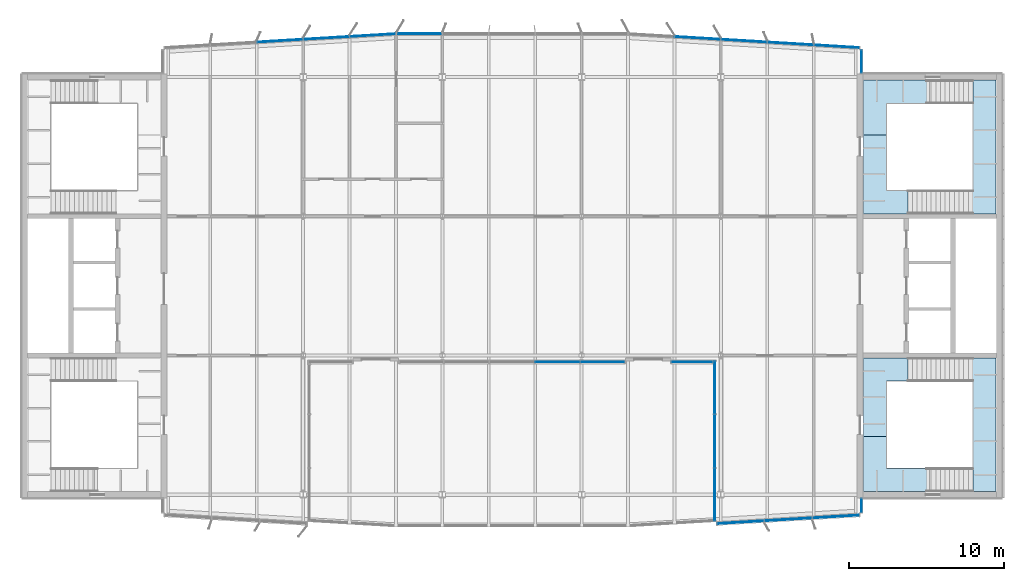
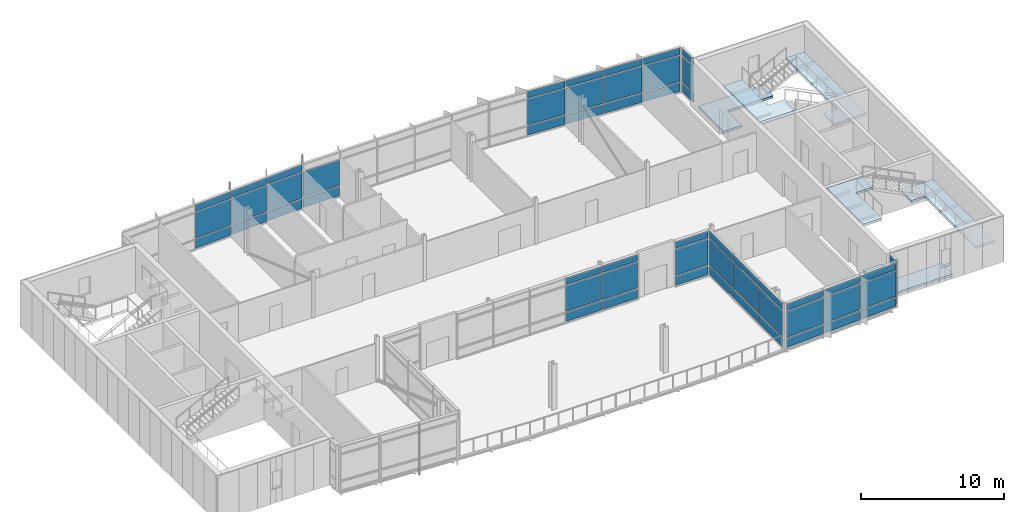
# One storey, part 11 of 19: 56 plates, 6 slabs, 11 elements without a shape of their own.
"""IFC4 building model written with IfcOpenShell, lengths in metres."""

from ifc_helpers import new_model, si_unit, direction, frame, origin, origin_2d, place, context, subcontext, project, spatial, polyline, rectangle, outline, extrude, material, layer, layer_set, type_object, element, aggregate, save


model = new_model("IFC4")

# Units and contexts
model_context = context("Model", 3, precision=1e-05, world=origin(), true_north=direction((0.0, 1.0)))
body_context = subcontext(model_context, "Body", "Model", "MODEL_VIEW")
ifc_project = project(units=[si_unit("LENGTHUNIT", "METRE"), si_unit("AREAUNIT", "SQUARE_METRE"), si_unit("VOLUMEUNIT", "CUBIC_METRE"), si_unit("PLANEANGLEUNIT", "RADIAN"), si_unit("MASSUNIT", "GRAM", prefix="KILO")], contexts=[model_context])

# Site, building, storey
site_placement = place(None, origin())
site = spatial("IfcSite", under=ifc_project, at=site_placement, CompositionType="ELEMENT")
building_placement = place(site_placement, origin())
building = spatial("IfcBuilding", under=site, at=building_placement, Name="Azimuth Sports and Learning Centre", CompositionType="ELEMENT")
storey_placement = place(building_placement, frame((0.0, 0.0, 67.5)))
storey = spatial("IfcBuildingStorey", under=building, at=storey_placement, Name="L15", CompositionType="ELEMENT", Elevation=67.5)

# Stair, slabs
ifc_material_1 = material(Name="Concrete C32/40", Category="concrete")
stair_type = type_object("IfcStairType", Name="Square-well stair core 3900 storey", PredefinedType="THREE_QUARTER_TURN_STAIR", material=ifc_material_1)
stair_1_placement = place(storey_placement, origin())
stair_1 = element("IfcStair", 1, at=stair_1_placement, inside=storey, type_object=stair_type, Name="Stair E1 L15-L16", PredefinedType="THREE_QUARTER_TURN_STAIR")
ifc_material_2 = material(Name="Concrete C32/40", Category="concrete")
ifc_layer_1 = layer(ifc_material_2, 0.199951171875)
ifc_layer_set_1 = layer_set([ifc_layer_1], Name="Concrete C32/40")
slab_type = type_object("IfcSlabType", Name="Concrete stair landing", PredefinedType="LANDING", material=ifc_layer_set_1)
slab_1_placement = place(storey_placement, frame((0.0, 0.0, -0.199951171875)))
slab_1 = element("IfcSlab", 2, at=slab_1_placement, type_object=slab_type, Name="Stair E1 L15 landing 1", PredefinedType="LANDING", context=body_context, shape_type="SweptSolid", body=[
    extrude(outline(polyline([(113.389892578125, 91.7099609375), (109.7099609375, 91.7099609375), (109.7099609375, 93.75), (108.2099609375, 93.75), (108.2099609375, 90.2099609375), (113.389892578125, 90.2099609375), (113.389892578125, 91.7099609375)])), origin(), (0.0, 0.0, 1.0), 0.199951171875),
])
slab_2_placement = place(storey_placement, frame((0.0, 0.0, 1.449951171875)))
slab_2 = element("IfcSlab", 3, at=slab_2_placement, type_object=slab_type, Name="Stair E1 L15 landing 2", PredefinedType="LANDING", context=body_context, shape_type="SweptSolid", body=[
    extrude(outline(polyline([(115.2900390625, 91.7099609375), (115.289306640625, 91.7099609375), (115.289306640625, 90.2099609375), (116.7900390625, 90.2099609375), (116.7900390625, 98.840087890625), (114.18994140625, 98.840087890625), (114.18994140625, 97.340087890625), (115.2900390625, 97.340087890625), (115.2900390625, 91.7099609375)])), origin(), (0.0, 0.0, 1.0), 0.199951171875),
])
slab_3_placement = place(storey_placement, frame((0.0, 0.0, 3.699951171875)))
slab_3 = element("IfcSlab", 4, at=slab_3_placement, type_object=slab_type, Name="Stair E1 L15 landing 3", PredefinedType="LANDING", context=body_context, shape_type="SweptSolid", body=[
    extrude(outline(polyline([(109.7099609375, 97.340087890625), (111.0908203125, 97.340087890625), (111.0908203125, 98.840087890625), (108.2099609375, 98.840087890625), (108.2099609375, 93.75), (109.7099609375, 93.75), (109.7099609375, 97.340087890625)])), origin(), (0.0, 0.0, 1.0), 0.199951171875),
])
aggregate(stair_1, [slab_1, slab_2, slab_3])

stair_2_placement = place(storey_placement, origin())
stair_2 = element("IfcStair", 5, at=stair_2_placement, inside=storey, type_object=stair_type, Name="Stair E2 L15-L16", PredefinedType="THREE_QUARTER_TURN_STAIR")
slab_4_placement = place(storey_placement, frame((0.0, 0.0, -0.199951171875)))
slab_4 = element("IfcSlab", 6, at=slab_4_placement, type_object=slab_type, Name="Stair E2 L15 landing 1", PredefinedType="LANDING", context=body_context, shape_type="SweptSolid", body=[
    extrude(outline(polyline([(108.2099609375, 116.7900390625), (108.2099609375, 113.25), (109.7099609375, 113.25), (109.7099609375, 115.2900390625), (113.389892578125, 115.2900390625), (113.389892578125, 116.7900390625), (108.2099609375, 116.7900390625)])), origin(), (0.0, 0.0, 1.0), 0.199951171875),
])
slab_5_placement = place(storey_placement, frame((0.0, 0.0, 1.449951171875)))
slab_5 = element("IfcSlab", 7, at=slab_5_placement, type_object=slab_type, Name="Stair E2 L15 landing 2", PredefinedType="LANDING", context=body_context, shape_type="SweptSolid", body=[
    extrude(outline(polyline([(115.2900390625, 115.2900390625), (115.2900390625, 109.659912109375), (114.18994140625, 109.659912109375), (114.18994140625, 108.159912109375), (116.7900390625, 108.159912109375), (116.7900390625, 116.7900390625), (115.289306640625, 116.7900390625), (115.289306640625, 115.2900390625), (115.2900390625, 115.2900390625)])), origin(), (0.0, 0.0, 1.0), 0.199951171875),
])
slab_6_placement = place(storey_placement, frame((0.0, 0.0, 3.699951171875)))
slab_6 = element("IfcSlab", 8, at=slab_6_placement, type_object=slab_type, Name="Stair E2 L15 landing 3", PredefinedType="LANDING", context=body_context, shape_type="SweptSolid", body=[
    extrude(outline(polyline([(109.7099609375, 109.659912109375), (109.7099609375, 113.25), (108.2099609375, 113.25), (108.2099609375, 108.159912109375), (111.0908203125, 108.159912109375), (111.0908203125, 109.659912109375), (109.7099609375, 109.659912109375)])), origin(), (0.0, 0.0, 1.0), 0.199951171875),
])
aggregate(stair_2, [slab_4, slab_5, slab_6])

# Curtain wall, plates
ifc_material_3 = material(Name="Aluminium and glass", Category="aluminium")
curtain_wall_type_1 = type_object("IfcCurtainWallType", Name="Curtain wall tower south 240", PredefinedType="NOTDEFINED", material=ifc_material_3)
curtain_wall_1_placement = place(storey_placement, origin())
curtain_wall_1 = element("IfcCurtainWall", 9, at=curtain_wall_1_placement, inside=storey, type_object=curtain_wall_type_1, Name="Curtain wall CW15-005", PredefinedType="NOTDEFINED")
ifc_material_4 = material(Name="Insulated aluminium panel", Category="aluminium")
ifc_layer_2 = layer(ifc_material_4, 0.050048828125)
ifc_layer_set_2 = layer_set([ifc_layer_2], Name="Insulated aluminium panel")
plate_type_1 = type_object("IfcPlateType", Name="Spandrel panel 50 mm", PredefinedType="CURTAIN_PANEL", material=ifc_layer_set_2)
plate_1_placement = place(storey_placement, frame((88.433349609375, 98.580078125, 0.10009765625), z_axis=(0.0, 0.0, 1.0), x_axis=(1.0, 0.0, 0.0)))
plate_1 = element("IfcPlate", 10, at=plate_1_placement, type_object=plate_type_1, Name="CW15-005 panel 4.1", PredefinedType="CURTAIN_PANEL", context=body_context, shape_type="SweptSolid", body=[
    extrude(rectangle(XDim=2.86328125, YDim=0.050048828125, at=origin_2d()), origin(), (0.0, 0.0, 1.0), 0.75),
])
plate_2_placement = place(storey_placement, frame((88.433349609375, 98.580078125, 3.25), z_axis=(0.0, 0.0, 1.0), x_axis=(1.0, 0.0, 0.0)))
plate_2 = element("IfcPlate", 11, at=plate_2_placement, type_object=plate_type_1, Name="CW15-005 panel 4.3", PredefinedType="CURTAIN_PANEL", context=body_context, shape_type="SweptSolid", body=[
    extrude(rectangle(XDim=2.86328125, YDim=0.050048828125, at=origin_2d()), origin(), (0.0, 0.0, 1.0), 0.550048828125),
])
plate_3_placement = place(storey_placement, frame((91.34912109375, 98.580078125, 0.10009765625), z_axis=(0.0, 0.0, 1.0), x_axis=(1.0, 0.0, 0.0)))
plate_3 = element("IfcPlate", 12, at=plate_3_placement, type_object=plate_type_1, Name="CW15-005 panel 5.1", PredefinedType="CURTAIN_PANEL", context=body_context, shape_type="SweptSolid", body=[
    extrude(rectangle(XDim=2.828369140625, YDim=0.050048828125, at=origin_2d()), origin(), (0.0, 0.0, 1.0), 0.75),
])
plate_4_placement = place(storey_placement, frame((91.34912109375, 98.580078125, 3.25), z_axis=(0.0, 0.0, 1.0), x_axis=(1.0, 0.0, 0.0)))
plate_4 = element("IfcPlate", 13, at=plate_4_placement, type_object=plate_type_1, Name="CW15-005 panel 5.3", PredefinedType="CURTAIN_PANEL", context=body_context, shape_type="SweptSolid", body=[
    extrude(rectangle(XDim=2.828369140625, YDim=0.050048828125, at=origin_2d()), origin(), (0.0, 0.0, 1.0), 0.550048828125),
])

curtain_wall_2_placement = place(storey_placement, origin())
curtain_wall_2 = element("IfcCurtainWall", 14, at=curtain_wall_2_placement, inside=storey, type_object=curtain_wall_type_1, Name="Curtain wall CW15-006", PredefinedType="NOTDEFINED")
plate_5_placement = place(storey_placement, frame((97.143310546875, 98.580078125, 0.10009765625), z_axis=(0.0, 0.0, 1.0), x_axis=(1.0, 0.0, 0.0)))
plate_5 = element("IfcPlate", 15, at=plate_5_placement, type_object=plate_type_1, Name="CW15-006 panel 1.1", PredefinedType="CURTAIN_PANEL", context=body_context, shape_type="SweptSolid", body=[
    extrude(rectangle(XDim=2.61328125, YDim=0.050048828125, at=origin_2d()), origin(), (0.0, 0.0, 1.0), 0.75),
])
plate_6_placement = place(storey_placement, frame((97.143310546875, 98.580078125, 3.25), z_axis=(0.0, 0.0, 1.0), x_axis=(1.0, 0.0, 0.0)))
plate_6 = element("IfcPlate", 16, at=plate_6_placement, type_object=plate_type_1, Name="CW15-006 panel 1.3", PredefinedType="CURTAIN_PANEL", context=body_context, shape_type="SweptSolid", body=[
    extrude(rectangle(XDim=2.61328125, YDim=0.050048828125, at=origin_2d()), origin(), (0.0, 0.0, 1.0), 0.550048828125),
])

ifc_material_5 = material(Name="Aluminium and glass", Category="aluminium")
curtain_wall_type_2 = type_object("IfcCurtainWallType", Name="Curtain wall tower return 180", PredefinedType="NOTDEFINED", material=ifc_material_5)
curtain_wall_3_placement = place(storey_placement, origin())
curtain_wall_3 = element("IfcCurtainWall", 17, at=curtain_wall_3_placement, inside=storey, type_object=curtain_wall_type_2, Name="Curtain wall CW15-007", PredefinedType="NOTDEFINED")
plate_7_placement = place(storey_placement, frame((98.610107421875, 96.94189453125, 0.10009765625), z_axis=(0.0, 0.0, 1.0), x_axis=(0.0, -1.0, 0.0)))
plate_7 = element("IfcPlate", 18, at=plate_7_placement, type_object=plate_type_1, Name="CW15-007 panel 1.1", PredefinedType="CURTAIN_PANEL", context=body_context, shape_type="SweptSolid", body=[
    extrude(rectangle(XDim=3.39599609375, YDim=0.050048828125, at=origin_2d()), origin(), (0.0, 0.0, 1.0), 0.75),
])
plate_8_placement = place(storey_placement, frame((98.610107421875, 96.94189453125, 0.9501953125), z_axis=(0.0, 0.0, 1.0), x_axis=(0.0, -1.0, 0.0)))
plate_8 = element("IfcPlate", 19, at=plate_8_placement, type_object=plate_type_1, Name="CW15-007 panel 1.2", PredefinedType="CURTAIN_PANEL", context=body_context, shape_type="SweptSolid", body=[
    extrude(rectangle(XDim=3.39599609375, YDim=0.050048828125, at=origin_2d()), origin(), (0.0, 0.0, 1.0), 2.199951171875),
])
plate_9_placement = place(storey_placement, frame((98.610107421875, 96.94189453125, 3.25), z_axis=(0.0, 0.0, 1.0), x_axis=(0.0, -1.0, 0.0)))
plate_9 = element("IfcPlate", 20, at=plate_9_placement, type_object=plate_type_1, Name="CW15-007 panel 1.3", PredefinedType="CURTAIN_PANEL", context=body_context, shape_type="SweptSolid", body=[
    extrude(rectangle(XDim=3.39599609375, YDim=0.050048828125, at=origin_2d()), origin(), (0.0, 0.0, 1.0), 0.550048828125),
])
plate_10_placement = place(storey_placement, frame((98.610107421875, 93.470947265625, 0.10009765625), z_axis=(0.0, 0.0, 1.0), x_axis=(0.0, -1.0, 0.0)))
plate_10 = element("IfcPlate", 21, at=plate_10_placement, type_object=plate_type_1, Name="CW15-007 panel 2.1", PredefinedType="CURTAIN_PANEL", context=body_context, shape_type="SweptSolid", body=[
    extrude(rectangle(XDim=3.426025390625, YDim=0.050048828125, at=origin_2d()), origin(), (0.0, 0.0, 1.0), 0.75),
])
plate_11_placement = place(storey_placement, frame((98.610107421875, 93.470947265625, 0.9501953125), z_axis=(0.0, 0.0, 1.0), x_axis=(0.0, -1.0, 0.0)))
plate_11 = element("IfcPlate", 22, at=plate_11_placement, type_object=plate_type_1, Name="CW15-007 panel 2.2", PredefinedType="CURTAIN_PANEL", context=body_context, shape_type="SweptSolid", body=[
    extrude(rectangle(XDim=3.426025390625, YDim=0.050048828125, at=origin_2d()), origin(), (0.0, 0.0, 1.0), 2.199951171875),
])
plate_12_placement = place(storey_placement, frame((98.610107421875, 93.470947265625, 3.25), z_axis=(0.0, 0.0, 1.0), x_axis=(0.0, -1.0, 0.0)))
plate_12 = element("IfcPlate", 23, at=plate_12_placement, type_object=plate_type_1, Name="CW15-007 panel 2.3", PredefinedType="CURTAIN_PANEL", context=body_context, shape_type="SweptSolid", body=[
    extrude(rectangle(XDim=3.426025390625, YDim=0.050048828125, at=origin_2d()), origin(), (0.0, 0.0, 1.0), 0.550048828125),
])
plate_13_placement = place(storey_placement, frame((98.610107421875, 90.0, 0.10009765625), z_axis=(0.0, 0.0, 1.0), x_axis=(0.0, -1.0, 0.0)))
plate_13 = element("IfcPlate", 24, at=plate_13_placement, type_object=plate_type_1, Name="CW15-007 panel 3.1", PredefinedType="CURTAIN_PANEL", context=body_context, shape_type="SweptSolid", body=[
    extrude(rectangle(XDim=3.39599609375, YDim=0.050048828125, at=origin_2d()), origin(), (0.0, 0.0, 1.0), 0.75),
])
plate_14_placement = place(storey_placement, frame((98.610107421875, 90.0, 0.9501953125), z_axis=(0.0, 0.0, 1.0), x_axis=(0.0, -1.0, 0.0)))
plate_14 = element("IfcPlate", 25, at=plate_14_placement, type_object=plate_type_1, Name="CW15-007 panel 3.2", PredefinedType="CURTAIN_PANEL", context=body_context, shape_type="SweptSolid", body=[
    extrude(rectangle(XDim=3.39599609375, YDim=0.050048828125, at=origin_2d()), origin(), (0.0, 0.0, 1.0), 2.199951171875),
])
plate_15_placement = place(storey_placement, frame((98.610107421875, 90.0, 3.25), z_axis=(0.0, 0.0, 1.0), x_axis=(0.0, -1.0, 0.0)))
plate_15 = element("IfcPlate", 26, at=plate_15_placement, type_object=plate_type_1, Name="CW15-007 panel 3.3", PredefinedType="CURTAIN_PANEL", context=body_context, shape_type="SweptSolid", body=[
    extrude(rectangle(XDim=3.39599609375, YDim=0.050048828125, at=origin_2d()), origin(), (0.0, 0.0, 1.0), 0.550048828125),
])
aggregate(curtain_wall_3, [plate_7, plate_8, plate_9, plate_10, plate_11, plate_12, plate_13, plate_14, plate_15])

curtain_wall_4_placement = place(storey_placement, origin())
curtain_wall_4 = element("IfcCurtainWall", 27, at=curtain_wall_4_placement, inside=storey, type_object=curtain_wall_type_1, Name="Curtain wall CW15-008", PredefinedType="NOTDEFINED")
plate_16_placement = place(storey_placement, frame((100.274658203125, 88.21630859375, 0.10009765625), z_axis=(0.0, 0.0, 1.0), x_axis=(0.998204863401, 0.059891991812, 0.0)))
plate_16 = element("IfcPlate", 28, at=plate_16_placement, type_object=plate_type_1, Name="CW15-008 panel 1.1", PredefinedType="CURTAIN_PANEL", context=body_context, shape_type="SweptSolid", body=[
    extrude(rectangle(XDim=3.00048828125, YDim=0.050048828125, at=origin_2d()), origin(), (0.0, 0.0, 1.0), 0.75),
])
plate_17_placement = place(storey_placement, frame((100.274658203125, 88.21630859375, 3.25), z_axis=(0.0, 0.0, 1.0), x_axis=(0.998204863401, 0.059891991812, 0.0)))
plate_17 = element("IfcPlate", 29, at=plate_17_placement, type_object=plate_type_1, Name="CW15-008 panel 1.3", PredefinedType="CURTAIN_PANEL", context=body_context, shape_type="SweptSolid", body=[
    extrude(rectangle(XDim=3.00048828125, YDim=0.050048828125, at=origin_2d()), origin(), (0.0, 0.0, 1.0), 0.550048828125),
])
plate_18_placement = place(storey_placement, frame((103.357177734375, 88.401123046875, 0.10009765625), z_axis=(0.0, 0.0, 1.0), x_axis=(0.998204863401, 0.059891991812, 0.0)))
plate_18 = element("IfcPlate", 30, at=plate_18_placement, type_object=plate_type_1, Name="CW15-008 panel 2.1", PredefinedType="CURTAIN_PANEL", context=body_context, shape_type="SweptSolid", body=[
    extrude(rectangle(XDim=3.03564453125, YDim=0.050048828125, at=origin_2d()), origin(), (0.0, 0.0, 1.0), 0.75),
])
plate_19_placement = place(storey_placement, frame((103.357177734375, 88.401123046875, 3.25), z_axis=(0.0, 0.0, 1.0), x_axis=(0.998204863401, 0.059891991812, 0.0)))
plate_19 = element("IfcPlate", 31, at=plate_19_placement, type_object=plate_type_1, Name="CW15-008 panel 2.3", PredefinedType="CURTAIN_PANEL", context=body_context, shape_type="SweptSolid", body=[
    extrude(rectangle(XDim=3.03564453125, YDim=0.050048828125, at=origin_2d()), origin(), (0.0, 0.0, 1.0), 0.550048828125),
])
plate_20_placement = place(storey_placement, frame((106.439697265625, 88.586181640625, 0.10009765625), z_axis=(0.0, 0.0, 1.0), x_axis=(0.998204863401, 0.059891991812, 0.0)))
plate_20 = element("IfcPlate", 32, at=plate_20_placement, type_object=plate_type_1, Name="CW15-008 panel 3.1", PredefinedType="CURTAIN_PANEL", context=body_context, shape_type="SweptSolid", body=[
    extrude(rectangle(XDim=3.00048828125, YDim=0.050048828125, at=origin_2d()), origin(), (0.0, 0.0, 1.0), 0.75),
])
plate_21_placement = place(storey_placement, frame((106.439697265625, 88.586181640625, 3.25), z_axis=(0.0, 0.0, 1.0), x_axis=(0.998204863401, 0.059891991812, 0.0)))
plate_21 = element("IfcPlate", 33, at=plate_21_placement, type_object=plate_type_1, Name="CW15-008 panel 3.3", PredefinedType="CURTAIN_PANEL", context=body_context, shape_type="SweptSolid", body=[
    extrude(rectangle(XDim=3.00048828125, YDim=0.050048828125, at=origin_2d()), origin(), (0.0, 0.0, 1.0), 0.550048828125),
])

curtain_wall_5_placement = place(storey_placement, origin())
curtain_wall_5 = element("IfcCurtainWall", 34, at=curtain_wall_5_placement, inside=storey, type_object=curtain_wall_type_2, Name="Curtain wall CW15-009", PredefinedType="NOTDEFINED")
plate_22_placement = place(storey_placement, frame((108.090087890625, 89.300048828125, 0.10009765625), z_axis=(0.0, 0.0, 1.0), x_axis=(0.0, 1.0, 0.0)))
plate_22 = element("IfcPlate", 35, at=plate_22_placement, type_object=plate_type_1, Name="CW15-009 panel 1.1", PredefinedType="CURTAIN_PANEL", context=body_context, shape_type="SweptSolid", body=[
    extrude(rectangle(XDim=0.8798828125, YDim=0.050048828125, at=origin_2d()), origin(), (0.0, 0.0, 1.0), 0.75),
])
plate_23_placement = place(storey_placement, frame((108.090087890625, 89.300048828125, 3.25), z_axis=(0.0, 0.0, 1.0), x_axis=(0.0, 1.0, 0.0)))
plate_23 = element("IfcPlate", 36, at=plate_23_placement, type_object=plate_type_1, Name="CW15-009 panel 1.3", PredefinedType="CURTAIN_PANEL", context=body_context, shape_type="SweptSolid", body=[
    extrude(rectangle(XDim=0.8798828125, YDim=0.050048828125, at=origin_2d()), origin(), (0.0, 0.0, 1.0), 0.550048828125),
])

curtain_wall_6_placement = place(storey_placement, origin())
curtain_wall_6 = element("IfcCurtainWall", 37, at=curtain_wall_6_placement, inside=storey, type_object=curtain_wall_type_2, Name="Curtain wall CW15-010", PredefinedType="NOTDEFINED")
plate_24_placement = place(storey_placement, frame((108.090087890625, 118.0, 0.10009765625), z_axis=(0.0, 0.0, 1.0), x_axis=(0.0, 1.0, 0.0)))
plate_24 = element("IfcPlate", 38, at=plate_24_placement, type_object=plate_type_1, Name="CW15-010 panel 1.1", PredefinedType="CURTAIN_PANEL", context=body_context, shape_type="SweptSolid", body=[
    extrude(rectangle(XDim=1.47998046875, YDim=0.050048828125, at=origin_2d()), origin(), (0.0, 0.0, 1.0), 0.75),
])
plate_25_placement = place(storey_placement, frame((108.090087890625, 118.0, 3.25), z_axis=(0.0, 0.0, 1.0), x_axis=(0.0, 1.0, 0.0)))
plate_25 = element("IfcPlate", 39, at=plate_25_placement, type_object=plate_type_1, Name="CW15-010 panel 1.3", PredefinedType="CURTAIN_PANEL", context=body_context, shape_type="SweptSolid", body=[
    extrude(rectangle(XDim=1.47998046875, YDim=0.050048828125, at=origin_2d()), origin(), (0.0, 0.0, 1.0), 0.550048828125),
])

ifc_material_6 = material(Name="Aluminium and glass", Category="aluminium")
curtain_wall_type_3 = type_object("IfcCurtainWallType", Name="Curtain wall tower north 180", PredefinedType="NOTDEFINED", material=ifc_material_6)
curtain_wall_7_placement = place(storey_placement, origin())
curtain_wall_7 = element("IfcCurtainWall", 40, at=curtain_wall_7_placement, inside=storey, type_object=curtain_wall_type_3, Name="Curtain wall CW15-011", PredefinedType="NOTDEFINED")
plate_26_placement = place(storey_placement, frame((106.490478515625, 118.980712890625, 0.10009765625), z_axis=(0.0, 0.0, 1.0), x_axis=(-0.998204863401, 0.059891991812, 0.0)))
plate_26 = element("IfcPlate", 41, at=plate_26_placement, type_object=plate_type_1, Name="CW15-011 panel 1.1", PredefinedType="CURTAIN_PANEL", context=body_context, shape_type="SweptSolid", body=[
    extrude(rectangle(XDim=2.915283203125, YDim=0.050048828125, at=origin_2d()), origin(), (0.0, 0.0, 1.0), 0.75),
])
plate_27_placement = place(storey_placement, frame((106.490478515625, 118.980712890625, 3.25), z_axis=(0.0, 0.0, 1.0), x_axis=(-0.998204863401, 0.059891991812, 0.0)))
plate_27 = element("IfcPlate", 42, at=plate_27_placement, type_object=plate_type_1, Name="CW15-011 panel 1.3", PredefinedType="CURTAIN_PANEL", context=body_context, shape_type="SweptSolid", body=[
    extrude(rectangle(XDim=2.915283203125, YDim=0.050048828125, at=origin_2d()), origin(), (0.0, 0.0, 1.0), 0.550048828125),
])
plate_28_placement = place(storey_placement, frame((103.50537109375, 119.159912109375, 0.10009765625), z_axis=(0.0, 0.0, 1.0), x_axis=(-0.998204863401, 0.059891991812, 0.0)))
plate_28 = element("IfcPlate", 43, at=plate_28_placement, type_object=plate_type_1, Name="CW15-011 panel 2.1", PredefinedType="CURTAIN_PANEL", context=body_context, shape_type="SweptSolid", body=[
    extrude(rectangle(XDim=2.9453125, YDim=0.050048828125, at=origin_2d()), origin(), (0.0, 0.0, 1.0), 0.75),
])
plate_29_placement = place(storey_placement, frame((103.50537109375, 119.159912109375, 3.25), z_axis=(0.0, 0.0, 1.0), x_axis=(-0.998204863401, 0.059891991812, 0.0)))
plate_29 = element("IfcPlate", 44, at=plate_29_placement, type_object=plate_type_1, Name="CW15-011 panel 2.3", PredefinedType="CURTAIN_PANEL", context=body_context, shape_type="SweptSolid", body=[
    extrude(rectangle(XDim=2.9453125, YDim=0.050048828125, at=origin_2d()), origin(), (0.0, 0.0, 1.0), 0.550048828125),
])
plate_30_placement = place(storey_placement, frame((100.50537109375, 119.33984375, 0.10009765625), z_axis=(0.0, 0.0, 1.0), x_axis=(-0.998204863401, 0.059891991812, 0.0)))
plate_30 = element("IfcPlate", 45, at=plate_30_placement, type_object=plate_type_1, Name="CW15-011 panel 3.1", PredefinedType="CURTAIN_PANEL", context=body_context, shape_type="SweptSolid", body=[
    extrude(rectangle(XDim=2.9453125, YDim=0.050048828125, at=origin_2d()), origin(), (0.0, 0.0, 1.0), 0.75),
])
plate_31_placement = place(storey_placement, frame((100.50537109375, 119.33984375, 3.25), z_axis=(0.0, 0.0, 1.0), x_axis=(-0.998204863401, 0.059891991812, 0.0)))
plate_31 = element("IfcPlate", 46, at=plate_31_placement, type_object=plate_type_1, Name="CW15-011 panel 3.3", PredefinedType="CURTAIN_PANEL", context=body_context, shape_type="SweptSolid", body=[
    extrude(rectangle(XDim=2.9453125, YDim=0.050048828125, at=origin_2d()), origin(), (0.0, 0.0, 1.0), 0.550048828125),
])
plate_32_placement = place(storey_placement, frame((97.50537109375, 119.519775390625, 0.10009765625), z_axis=(0.0, 0.0, 1.0), x_axis=(-0.998204863401, 0.059891991812, 0.0)))
plate_32 = element("IfcPlate", 47, at=plate_32_placement, type_object=plate_type_1, Name="CW15-011 panel 4.1", PredefinedType="CURTAIN_PANEL", context=body_context, shape_type="SweptSolid", body=[
    extrude(rectangle(XDim=2.9453125, YDim=0.050048828125, at=origin_2d()), origin(), (0.0, 0.0, 1.0), 0.75),
])
plate_33_placement = place(storey_placement, frame((97.50537109375, 119.519775390625, 3.25), z_axis=(0.0, 0.0, 1.0), x_axis=(-0.998204863401, 0.059891991812, 0.0)))
plate_33 = element("IfcPlate", 48, at=plate_33_placement, type_object=plate_type_1, Name="CW15-011 panel 4.3", PredefinedType="CURTAIN_PANEL", context=body_context, shape_type="SweptSolid", body=[
    extrude(rectangle(XDim=2.9453125, YDim=0.050048828125, at=origin_2d()), origin(), (0.0, 0.0, 1.0), 0.550048828125),
])

# Curtain wall, plate
curtain_wall_8_placement = place(storey_placement, origin())
curtain_wall_8 = element("IfcCurtainWall", 49, at=curtain_wall_8_placement, inside=storey, type_object=curtain_wall_type_3, Name="Curtain wall CW15-012", PredefinedType="NOTDEFINED")
plate_34_placement = place(storey_placement, frame((79.514892578125, 119.7900390625, 0.10009765625), z_axis=(0.0, 0.0, 1.0), x_axis=(-1.0, 0.0, 0.0)))
plate_34 = element("IfcPlate", 50, at=plate_34_placement, type_object=plate_type_1, Name="CW15-012 panel 5.1", PredefinedType="CURTAIN_PANEL", context=body_context, shape_type="SweptSolid", body=[
    extrude(rectangle(XDim=2.909912109375, YDim=0.050048828125, at=origin_2d()), origin(), (0.0, 0.0, 1.0), 0.75),
])

# Curtain wall, plates
curtain_wall_9_placement = place(storey_placement, origin())
curtain_wall_9 = element("IfcCurtainWall", 51, at=curtain_wall_9_placement, inside=storey, type_object=curtain_wall_type_3, Name="Curtain wall CW15-013", PredefinedType="NOTDEFINED")
plate_35_placement = place(storey_placement, frame((76.482421875, 119.69921875, 0.10009765625), z_axis=(0.0, 0.0, 1.0), x_axis=(-0.998204863401, -0.059891991812, 0.0)))
plate_35 = element("IfcPlate", 52, at=plate_35_placement, type_object=plate_type_1, Name="CW15-013 panel 1.1", PredefinedType="CURTAIN_PANEL", context=body_context, shape_type="SweptSolid", body=[
    extrude(rectangle(XDim=2.9208984375, YDim=0.050048828125, at=origin_2d()), origin(), (0.0, 0.0, 1.0), 0.75),
])
plate_36_placement = place(storey_placement, frame((76.482421875, 119.69921875, 3.25), z_axis=(0.0, 0.0, 1.0), x_axis=(-0.998204863401, -0.059891991812, 0.0)))
plate_36 = element("IfcPlate", 53, at=plate_36_placement, type_object=plate_type_1, Name="CW15-013 panel 1.3", PredefinedType="CURTAIN_PANEL", context=body_context, shape_type="SweptSolid", body=[
    extrude(rectangle(XDim=2.9208984375, YDim=0.050048828125, at=origin_2d()), origin(), (0.0, 0.0, 1.0), 0.550048828125),
])
plate_37_placement = place(storey_placement, frame((73.49462890625, 119.519775390625, 0.10009765625), z_axis=(0.0, 0.0, 1.0), x_axis=(-0.998204863401, -0.059891991812, 0.0)))
plate_37 = element("IfcPlate", 54, at=plate_37_placement, type_object=plate_type_1, Name="CW15-013 panel 2.1", PredefinedType="CURTAIN_PANEL", context=body_context, shape_type="SweptSolid", body=[
    extrude(rectangle(XDim=2.9453125, YDim=0.050048828125, at=origin_2d()), origin(), (0.0, 0.0, 1.0), 0.75),
])
plate_38_placement = place(storey_placement, frame((73.49462890625, 119.519775390625, 3.25), z_axis=(0.0, 0.0, 1.0), x_axis=(-0.998204863401, -0.059891991812, 0.0)))
plate_38 = element("IfcPlate", 55, at=plate_38_placement, type_object=plate_type_1, Name="CW15-013 panel 2.3", PredefinedType="CURTAIN_PANEL", context=body_context, shape_type="SweptSolid", body=[
    extrude(rectangle(XDim=2.9453125, YDim=0.050048828125, at=origin_2d()), origin(), (0.0, 0.0, 1.0), 0.550048828125),
])
plate_39_placement = place(storey_placement, frame((70.49462890625, 119.33984375, 0.10009765625), z_axis=(0.0, 0.0, 1.0), x_axis=(-0.998204863401, -0.059891991812, 0.0)))
plate_39 = element("IfcPlate", 56, at=plate_39_placement, type_object=plate_type_1, Name="CW15-013 panel 3.1", PredefinedType="CURTAIN_PANEL", context=body_context, shape_type="SweptSolid", body=[
    extrude(rectangle(XDim=2.9453125, YDim=0.050048828125, at=origin_2d()), origin(), (0.0, 0.0, 1.0), 0.75),
])
plate_40_placement = place(storey_placement, frame((70.49462890625, 119.33984375, 3.25), z_axis=(0.0, 0.0, 1.0), x_axis=(-0.998204863401, -0.059891991812, 0.0)))
plate_40 = element("IfcPlate", 57, at=plate_40_placement, type_object=plate_type_1, Name="CW15-013 panel 3.3", PredefinedType="CURTAIN_PANEL", context=body_context, shape_type="SweptSolid", body=[
    extrude(rectangle(XDim=2.9453125, YDim=0.050048828125, at=origin_2d()), origin(), (0.0, 0.0, 1.0), 0.550048828125),
])

# Plate
ifc_material_7 = material(Name="Glass", Category="glass")
ifc_layer_3 = layer(ifc_material_7, 0.031982421875)
ifc_layer_set_3 = layer_set([ifc_layer_3], Name="Glass")
plate_type_2 = type_object("IfcPlateType", Name="Vision glass 32 mm", PredefinedType="CURTAIN_PANEL", material=ifc_layer_set_3)
plate_41_placement = place(storey_placement, frame((88.433349609375, 98.580078125, 0.9501953125), z_axis=(0.0, 0.0, 1.0), x_axis=(1.0, 0.0, 0.0)))
plate_41 = element("IfcPlate", 58, at=plate_41_placement, type_object=plate_type_2, Name="CW15-005 panel 4.2", PredefinedType="CURTAIN_PANEL", context=body_context, shape_type="SweptSolid", body=[
    extrude(rectangle(XDim=2.86328125, YDim=0.031982421875, at=origin_2d()), origin(), (0.0, 0.0, 1.0), 2.199951171875),
])

plate_42_placement = place(storey_placement, frame((91.34912109375, 98.580078125, 0.9501953125), z_axis=(0.0, 0.0, 1.0), x_axis=(1.0, 0.0, 0.0)))
plate_42 = element("IfcPlate", 59, at=plate_42_placement, type_object=plate_type_2, Name="CW15-005 panel 5.2", PredefinedType="CURTAIN_PANEL", context=body_context, shape_type="SweptSolid", body=[
    extrude(rectangle(XDim=2.828369140625, YDim=0.031982421875, at=origin_2d()), origin(), (0.0, 0.0, 1.0), 2.199951171875),
])

aggregate(curtain_wall_1, [plate_1, plate_41, plate_2, plate_3, plate_42, plate_4])

plate_43_placement = place(storey_placement, frame((97.143310546875, 98.580078125, 0.9501953125), z_axis=(0.0, 0.0, 1.0), x_axis=(1.0, 0.0, 0.0)))
plate_43 = element("IfcPlate", 60, at=plate_43_placement, type_object=plate_type_2, Name="CW15-006 panel 1.2", PredefinedType="CURTAIN_PANEL", context=body_context, shape_type="SweptSolid", body=[
    extrude(rectangle(XDim=2.61328125, YDim=0.031982421875, at=origin_2d()), origin(), (0.0, 0.0, 1.0), 2.199951171875),
])

aggregate(curtain_wall_2, [plate_5, plate_43, plate_6])

plate_44_placement = place(storey_placement, frame((100.274658203125, 88.21630859375, 0.9501953125), z_axis=(0.0, 0.0, 1.0), x_axis=(0.998204863401, 0.059891991812, 0.0)))
plate_44 = element("IfcPlate", 61, at=plate_44_placement, type_object=plate_type_2, Name="CW15-008 panel 1.2", PredefinedType="CURTAIN_PANEL", context=body_context, shape_type="SweptSolid", body=[
    extrude(rectangle(XDim=3.00048828125, YDim=0.031982421875, at=origin_2d()), origin(), (0.0, 0.0, 1.0), 2.199951171875),
])

plate_45_placement = place(storey_placement, frame((103.357177734375, 88.401123046875, 0.9501953125), z_axis=(0.0, 0.0, 1.0), x_axis=(0.998204863401, 0.059891991812, 0.0)))
plate_45 = element("IfcPlate", 62, at=plate_45_placement, type_object=plate_type_2, Name="CW15-008 panel 2.2", PredefinedType="CURTAIN_PANEL", context=body_context, shape_type="SweptSolid", body=[
    extrude(rectangle(XDim=3.03564453125, YDim=0.031982421875, at=origin_2d()), origin(), (0.0, 0.0, 1.0), 2.199951171875),
])

plate_46_placement = place(storey_placement, frame((106.439697265625, 88.586181640625, 0.9501953125), z_axis=(0.0, 0.0, 1.0), x_axis=(0.998204863401, 0.059891991812, 0.0)))
plate_46 = element("IfcPlate", 63, at=plate_46_placement, type_object=plate_type_2, Name="CW15-008 panel 3.2", PredefinedType="CURTAIN_PANEL", context=body_context, shape_type="SweptSolid", body=[
    extrude(rectangle(XDim=3.00048828125, YDim=0.031982421875, at=origin_2d()), origin(), (0.0, 0.0, 1.0), 2.199951171875),
])

aggregate(curtain_wall_4, [plate_16, plate_44, plate_17, plate_18, plate_45, plate_19, plate_20, plate_46, plate_21])

plate_47_placement = place(storey_placement, frame((108.090087890625, 89.300048828125, 0.9501953125), z_axis=(0.0, 0.0, 1.0), x_axis=(0.0, 1.0, 0.0)))
plate_47 = element("IfcPlate", 64, at=plate_47_placement, type_object=plate_type_2, Name="CW15-009 panel 1.2", PredefinedType="CURTAIN_PANEL", context=body_context, shape_type="SweptSolid", body=[
    extrude(rectangle(XDim=0.8798828125, YDim=0.031982421875, at=origin_2d()), origin(), (0.0, 0.0, 1.0), 2.199951171875),
])

aggregate(curtain_wall_5, [plate_22, plate_47, plate_23])

plate_48_placement = place(storey_placement, frame((108.090087890625, 118.0, 0.9501953125), z_axis=(0.0, 0.0, 1.0), x_axis=(0.0, 1.0, 0.0)))
plate_48 = element("IfcPlate", 65, at=plate_48_placement, type_object=plate_type_2, Name="CW15-010 panel 1.2", PredefinedType="CURTAIN_PANEL", context=body_context, shape_type="SweptSolid", body=[
    extrude(rectangle(XDim=1.47998046875, YDim=0.031982421875, at=origin_2d()), origin(), (0.0, 0.0, 1.0), 2.199951171875),
])

aggregate(curtain_wall_6, [plate_24, plate_48, plate_25])

plate_49_placement = place(storey_placement, frame((106.490478515625, 118.980712890625, 0.9501953125), z_axis=(0.0, 0.0, 1.0), x_axis=(-0.998204863401, 0.059891991812, 0.0)))
plate_49 = element("IfcPlate", 66, at=plate_49_placement, type_object=plate_type_2, Name="CW15-011 panel 1.2", PredefinedType="CURTAIN_PANEL", context=body_context, shape_type="SweptSolid", body=[
    extrude(rectangle(XDim=2.915283203125, YDim=0.031982421875, at=origin_2d()), origin(), (0.0, 0.0, 1.0), 2.199951171875),
])

plate_50_placement = place(storey_placement, frame((103.50537109375, 119.159912109375, 0.9501953125), z_axis=(0.0, 0.0, 1.0), x_axis=(-0.998204863401, 0.059891991812, 0.0)))
plate_50 = element("IfcPlate", 67, at=plate_50_placement, type_object=plate_type_2, Name="CW15-011 panel 2.2", PredefinedType="CURTAIN_PANEL", context=body_context, shape_type="SweptSolid", body=[
    extrude(rectangle(XDim=2.9453125, YDim=0.031982421875, at=origin_2d()), origin(), (0.0, 0.0, 1.0), 2.199951171875),
])

plate_51_placement = place(storey_placement, frame((100.50537109375, 119.33984375, 0.9501953125), z_axis=(0.0, 0.0, 1.0), x_axis=(-0.998204863401, 0.059891991812, 0.0)))
plate_51 = element("IfcPlate", 68, at=plate_51_placement, type_object=plate_type_2, Name="CW15-011 panel 3.2", PredefinedType="CURTAIN_PANEL", context=body_context, shape_type="SweptSolid", body=[
    extrude(rectangle(XDim=2.9453125, YDim=0.031982421875, at=origin_2d()), origin(), (0.0, 0.0, 1.0), 2.199951171875),
])

plate_52_placement = place(storey_placement, frame((97.50537109375, 119.519775390625, 0.9501953125), z_axis=(0.0, 0.0, 1.0), x_axis=(-0.998204863401, 0.059891991812, 0.0)))
plate_52 = element("IfcPlate", 69, at=plate_52_placement, type_object=plate_type_2, Name="CW15-011 panel 4.2", PredefinedType="CURTAIN_PANEL", context=body_context, shape_type="SweptSolid", body=[
    extrude(rectangle(XDim=2.9453125, YDim=0.031982421875, at=origin_2d()), origin(), (0.0, 0.0, 1.0), 2.199951171875),
])

aggregate(curtain_wall_7, [plate_26, plate_49, plate_27, plate_28, plate_50, plate_29, plate_30, plate_51, plate_31, plate_32, plate_52, plate_33])

plate_53_placement = place(storey_placement, frame((79.514892578125, 119.7900390625, 0.9501953125), z_axis=(0.0, 0.0, 1.0), x_axis=(-1.0, 0.0, 0.0)))
plate_53 = element("IfcPlate", 70, at=plate_53_placement, type_object=plate_type_2, Name="CW15-012 panel 5.2", PredefinedType="CURTAIN_PANEL", context=body_context, shape_type="SweptSolid", body=[
    extrude(rectangle(XDim=2.909912109375, YDim=0.031982421875, at=origin_2d()), origin(), (0.0, 0.0, 1.0), 2.199951171875),
])

aggregate(curtain_wall_8, [plate_34, plate_53])

plate_54_placement = place(storey_placement, frame((76.482421875, 119.69921875, 0.9501953125), z_axis=(0.0, 0.0, 1.0), x_axis=(-0.998204863401, -0.059891991812, 0.0)))
plate_54 = element("IfcPlate", 71, at=plate_54_placement, type_object=plate_type_2, Name="CW15-013 panel 1.2", PredefinedType="CURTAIN_PANEL", context=body_context, shape_type="SweptSolid", body=[
    extrude(rectangle(XDim=2.9208984375, YDim=0.031982421875, at=origin_2d()), origin(), (0.0, 0.0, 1.0), 2.199951171875),
])

plate_55_placement = place(storey_placement, frame((73.49462890625, 119.519775390625, 0.9501953125), z_axis=(0.0, 0.0, 1.0), x_axis=(-0.998204863401, -0.059891991812, 0.0)))
plate_55 = element("IfcPlate", 72, at=plate_55_placement, type_object=plate_type_2, Name="CW15-013 panel 2.2", PredefinedType="CURTAIN_PANEL", context=body_context, shape_type="SweptSolid", body=[
    extrude(rectangle(XDim=2.9453125, YDim=0.031982421875, at=origin_2d()), origin(), (0.0, 0.0, 1.0), 2.199951171875),
])

plate_56_placement = place(storey_placement, frame((70.49462890625, 119.33984375, 0.9501953125), z_axis=(0.0, 0.0, 1.0), x_axis=(-0.998204863401, -0.059891991812, 0.0)))
plate_56 = element("IfcPlate", 73, at=plate_56_placement, type_object=plate_type_2, Name="CW15-013 panel 3.2", PredefinedType="CURTAIN_PANEL", context=body_context, shape_type="SweptSolid", body=[
    extrude(rectangle(XDim=2.9453125, YDim=0.031982421875, at=origin_2d()), origin(), (0.0, 0.0, 1.0), 2.199951171875),
])

aggregate(curtain_wall_9, [plate_35, plate_54, plate_36, plate_37, plate_55, plate_38, plate_39, plate_56, plate_40])

save(model, "model.ifc")
